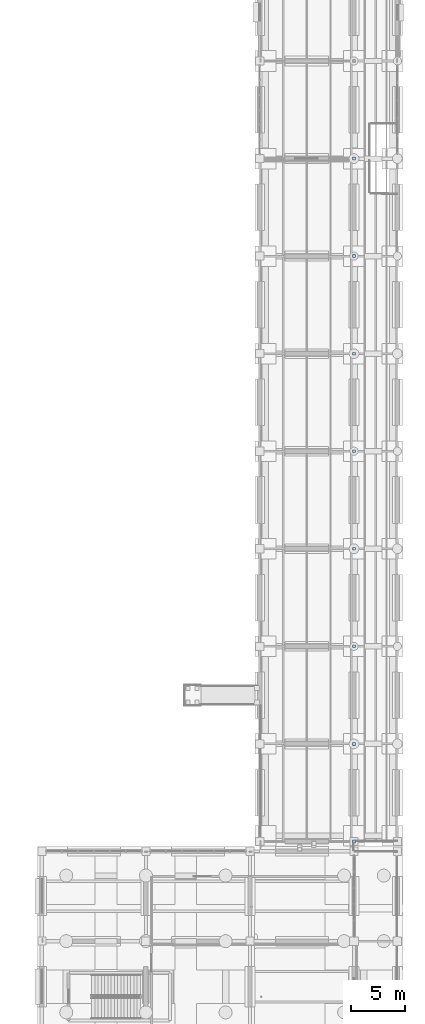
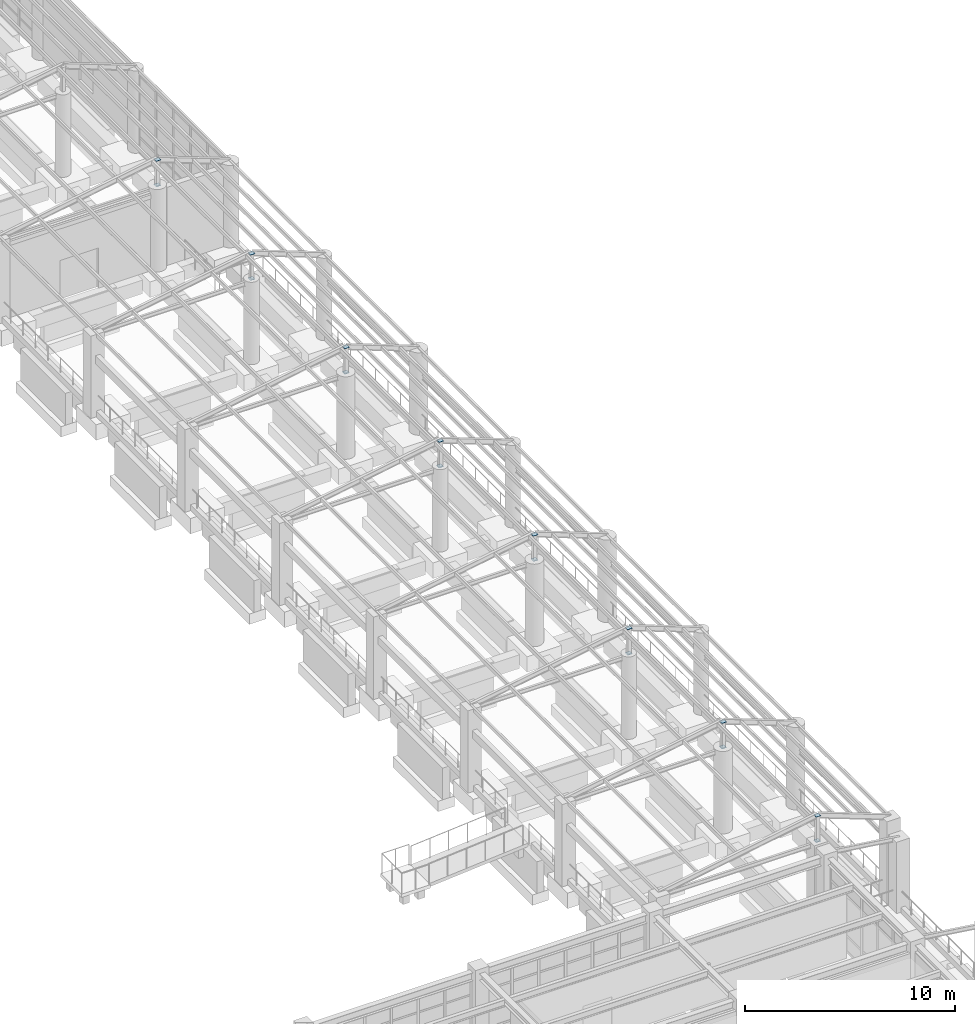
# One storey, part 81 of 111: 16 plates.
"""IFC4 building model written with IfcOpenShell, lengths in metres."""

from ifc_helpers import new_model, si_unit, direction, frame, origin, origin_2d, place, context, subcontext, project, spatial, rectangle, extrude, material, layer, layer_set, type_object, element, save


model = new_model("IFC4")

# Units and contexts
model_context = context("Model", 3, precision=1e-05, world=origin(), true_north=direction((0.0, 1.0)))
body_context = subcontext(model_context, "Body", "Model", "MODEL_VIEW")
ifc_project = project(units=[si_unit("LENGTHUNIT", "METRE"), si_unit("AREAUNIT", "SQUARE_METRE"), si_unit("VOLUMEUNIT", "CUBIC_METRE"), si_unit("PLANEANGLEUNIT", "RADIAN"), si_unit("MASSUNIT", "GRAM", prefix="KILO")], contexts=[model_context])

# Site, building, storey
site_placement = place(None, origin())
site = spatial("IfcSite", under=ifc_project, at=site_placement, CompositionType="ELEMENT")
building_placement = place(site_placement, origin())
building = spatial("IfcBuilding", under=site, at=building_placement, Name="Canglan Escarpment Cableway Terminal", CompositionType="ELEMENT")
storey_placement = place(building_placement, frame((0.0, 0.0, 4.800048828125)))
storey = spatial("IfcBuildingStorey", under=building, at=storey_placement, Name="L01", CompositionType="ELEMENT", Elevation=4.800048828125)

# Plates
ifc_material = material(Name="Steel Q355B", Category="steel")
ifc_layer = layer(ifc_material, 0.01611328125, Name="Steel Q355B")
ifc_layer_set = layer_set([ifc_layer], Name="Steel Q355B")
plate_type = type_object("IfcPlateType", Name="PLT-GUSSET-16", PredefinedType="USERDEFINED", material=ifc_layer_set)
for number, where, z_axis, x_axis, name in (
    (1, (176.0, 34.0, 4.75), (0.0, 0.0, 1.0), (1.0, 0.0, 0.0), "Colonnade kingpost end connection plate GP-03"),
    (2, (176.0, 34.0, 6.23388671875), (0.0, 0.0, 1.0), (1.0, 0.0, 0.0), "Colonnade kingpost end connection plate GP-03"),
    (3, (176.0, 43.0, 4.75), (0.0, 0.0, 1.0), (1.0, 0.0, 0.0), "Colonnade kingpost end connection plate GP-03"),
    (4, (176.0, 43.0, 6.23388671875), (0.0, 0.0, 1.0), (1.0, 0.0, 0.0), "Colonnade kingpost end connection plate GP-03"),
    (5, (176.0, 52.0, 4.75), (0.0, 0.0, 1.0), (1.0, 0.0, 0.0), "Colonnade kingpost end connection plate GP-03"),
    (6, (176.0, 52.0, 6.23388671875), (0.0, 0.0, 1.0), (1.0, 0.0, 0.0), "Colonnade kingpost end connection plate GP-03"),
    (7, (176.0, 61.0, 4.75), (0.0, 0.0, 1.0), (1.0, 0.0, 0.0), "Colonnade kingpost end connection plate GP-03"),
    (8, (176.0, 61.0, 6.23388671875), (0.0, 0.0, 1.0), (1.0, 0.0, 0.0), "Colonnade kingpost end connection plate GP-03"),
    (9, (176.0, 70.0, 4.75), (0.0, 0.0, 1.0), (1.0, 0.0, 0.0), "Colonnade kingpost end connection plate GP-03"),
    (10, (176.0, 70.0, 6.23388671875), (0.0, 0.0, 1.0), (1.0, 0.0, 0.0), "Colonnade kingpost end connection plate GP-03"),
    (11, (176.0, 79.0, 4.75), (0.0, 0.0, 1.0), (1.0, 0.0, 0.0), "Colonnade kingpost end connection plate GP-03"),
    (12, (176.0, 79.0, 6.23388671875), (0.0, 0.0, 1.0), (1.0, 0.0, 0.0), "Colonnade kingpost end connection plate GP-03"),
    (13, (176.0, 88.0, 4.75), (0.0, 0.0, 1.0), (1.0, 0.0, 0.0), "Colonnade kingpost end connection plate GP-03"),
    (14, (176.0, 88.0, 6.23388671875), (0.0, 0.0, 1.0), (1.0, 0.0, 0.0), "Colonnade kingpost end connection plate GP-03"),
    (15, (176.0, 97.0, 4.75), (0.0, 0.0, 1.0), (1.0, 0.0, 0.0), "Colonnade kingpost end connection plate GP-03"),
    (16, (176.0, 97.0, 6.23388671875), (0.0, 0.0, 1.0), (1.0, 0.0, 0.0), "Colonnade kingpost end connection plate GP-03"),
):
    element("IfcPlate", number, at=place(storey_placement, frame(where, z_axis=z_axis, x_axis=x_axis)), inside=storey, type_object=plate_type, Name=name, ObjectType="GUSSET PLATE", PredefinedType="USERDEFINED", context=body_context, shape_type="SweptSolid", body=[
        extrude(rectangle(XDim=0.260009765625, YDim=0.260009765625, at=origin_2d()), origin(), (0.0, 0.0, 1.0), 0.01611328125),
    ])

save(model, "model.ifc")
